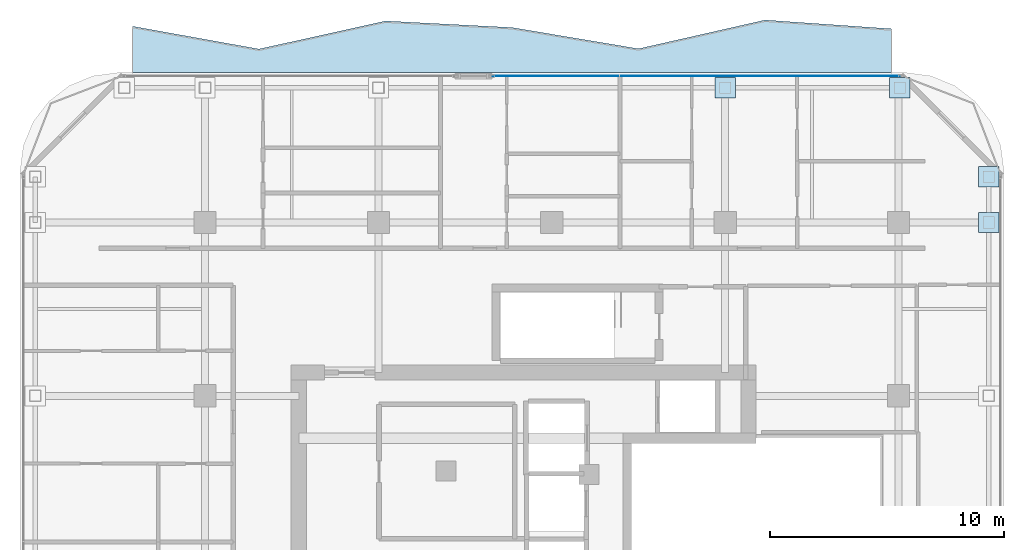
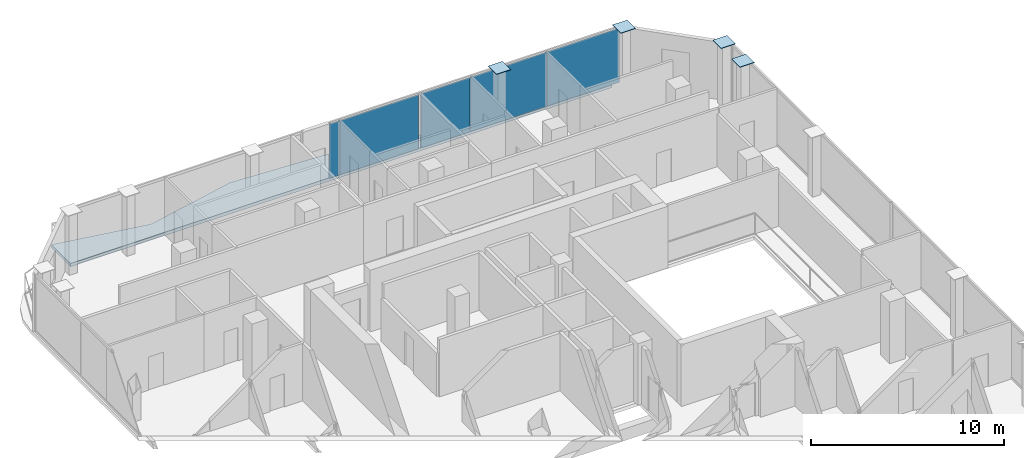
# One storey, part 16 of 22: 9 plates, 1 slab, 1 element without a shape of its own.
"""IFC4 building model written with IfcOpenShell, lengths in metres."""

import ifcopenshell
import ifcopenshell.guid

model = None  # the IFC model being written
_history = None  # IfcOwnerHistory: only IFC2X3 demands one
_inside = {}  # id of a spatial element -> (the spatial element, [elements in it])
_under = {}  # id of a project, library or spatial element -> (it, [spatial elements below it])
_declared = {}  # id of a project -> (the project, [libraries it declares])
_typed = {}  # id of a type object -> (the type object, [elements of that type])
_made_of = {}  # id of a material, layer set ... -> (it, [elements and type objects made of it])


def new_model(schema):
    """Start an empty IFC model of exactly this schema.

    Asked for "IFC4X3", IfcOpenShell would pick the latest addendum, in which some entities
    have other attributes; the version numbers below select the first issue.
    IFC2X3 requires an IfcOwnerHistory on every rooted entity: one is made here for all.
    """
    global model, _history
    if schema == "IFC4X3":
        model = ifcopenshell.file(schema_version=(4, 3, 0, 0))
    else:
        model = ifcopenshell.file(schema=schema)
    _inside.clear()
    _under.clear()
    _declared.clear()
    _typed.clear()
    _made_of.clear()
    _history = None
    if model.schema == "IFC2X3":
        org = make("IfcOrganization", Name="unknown")
        user = make(
            "IfcPersonAndOrganization",
            ThePerson=make("IfcPerson", FamilyName="unknown"),
            TheOrganization=org,
        )
        app = make(
            "IfcApplication",
            ApplicationDeveloper=org,
            Version="unknown",
            ApplicationFullName="unknown",
            ApplicationIdentifier="unknown",
        )
        _history = make(
            "IfcOwnerHistory",
            OwningUser=user,
            OwningApplication=app,
            ChangeAction="ADDED",
            CreationDate=0,
        )
    return model


def make(cls, **values):
    """One entity of the class cls with the attributes given. An attribute that is None is left unset."""
    return model.create_entity(
        cls, **{name: value for name, value in values.items() if value is not None}
    )


def rooted(cls, **values):
    """An entity with a GlobalId (a new one), such as an element, a storey or a relation."""
    return make(cls, GlobalId=ifcopenshell.guid.new(), OwnerHistory=_history, **values)


def si_unit(unit_type, name, prefix=None):
    """IfcSIUnit, for example si_unit("LENGTHUNIT", "METRE", prefix="MILLI")."""
    return make("IfcSIUnit", UnitType=unit_type, Prefix=prefix, Name=name)


def assignment(units):
    """IfcUnitAssignment: the units of a project."""
    return None if units is None else make("IfcUnitAssignment", Units=units)


def point(xyz):
    """IfcCartesianPoint."""
    return None if xyz is None else make("IfcCartesianPoint", Coordinates=xyz)


def direction(xyz):
    """IfcDirection."""
    return None if xyz is None else make("IfcDirection", DirectionRatios=xyz)


def frame(location, z_axis=None, x_axis=None):
    """IfcAxis2Placement3D, a coordinate frame: its origin and axes. An axis left out is left unset."""
    return make(
        "IfcAxis2Placement3D",
        Location=point(location),
        Axis=direction(z_axis),
        RefDirection=direction(x_axis),
    )


def frame_2d(location, x_axis=None):
    """IfcAxis2Placement2D, a coordinate frame in the plane: its origin and x axis."""
    return make(
        "IfcAxis2Placement2D", Location=point(location), RefDirection=direction(x_axis)
    )


def origin():
    """The frame at (0, 0, 0) with its axes left unset."""
    return frame((0.0, 0.0, 0.0))


def origin_2d():
    """The frame at (0, 0) in the plane with its x axis left unset."""
    return frame_2d((0.0, 0.0))


def place(relative_to, where):
    """IfcLocalPlacement: puts the frame where relative to a parent placement (None: the world)."""
    return make(
        "IfcLocalPlacement", PlacementRelTo=relative_to, RelativePlacement=where
    )


def context(
    kind, dimensions, precision=None, world=None, true_north=None, identifier=None
):
    """IfcGeometricRepresentationContext, for example the 3D "Model" context."""
    return make(
        "IfcGeometricRepresentationContext",
        ContextIdentifier=identifier,
        ContextType=kind,
        CoordinateSpaceDimension=dimensions,
        Precision=precision,
        WorldCoordinateSystem=world,
        TrueNorth=true_north,
    )


def subcontext(parent, identifier, kind, view, scale=None):
    """IfcGeometricRepresentationSubContext, for example "Body" below "Model"."""
    return make(
        "IfcGeometricRepresentationSubContext",
        ContextIdentifier=identifier,
        ContextType=kind,
        ParentContext=parent,
        TargetScale=scale,
        TargetView=view,
    )


def project(units=None, contexts=None):
    """IfcProject with its units and contexts."""
    return rooted(
        "IfcProject",
        Name="project",
        RepresentationContexts=contexts,
        UnitsInContext=assignment(units),
    )


def spatial(cls, under=None, at=None, **own):
    """A site, building, storey or space (cls), placed at a placement, below another one or the project."""
    s = rooted(cls, ObjectPlacement=at, **own)
    if under is not None:
        _under.setdefault(under.id(), (under, []))[1].append(s)
    return s


def polyline(points):
    """IfcPolyline through the points."""
    return make("IfcPolyline", Points=[point(p) for p in points])


def profile(cls, at=None, kind="AREA", **sizes):
    """A parametric profile (cls). Its sizes go by their IFC names, for example OverallWidth=200.0."""
    return make(cls, ProfileType=kind, Position=at, **sizes)


def rectangle(**sizes):
    """IfcRectangleProfileDef."""
    return profile("IfcRectangleProfileDef", **sizes)


def outline(outer, holes=None, kind="AREA"):
    """IfcArbitraryClosedProfileDef: a profile drawn as a closed curve; with holes, ...WithVoids."""
    if holes is None:
        return make("IfcArbitraryClosedProfileDef", ProfileType=kind, OuterCurve=outer)
    return make(
        "IfcArbitraryProfileDefWithVoids",
        ProfileType=kind,
        OuterCurve=outer,
        InnerCurves=holes,
    )


def extrude(swept, where, along, depth):
    """IfcExtrudedAreaSolid: the profile swept, set in the frame where, extruded along a direction by depth."""
    return make(
        "IfcExtrudedAreaSolid",
        SweptArea=swept,
        Position=where,
        ExtrudedDirection=direction(along),
        Depth=depth,
    )


def shape(context_of_items, identifier, shape_type, items):
    """IfcShapeRepresentation: the items that make up one representation, for example the "Body"."""
    return make(
        "IfcShapeRepresentation",
        ContextOfItems=context_of_items,
        RepresentationIdentifier=identifier,
        RepresentationType=shape_type,
        Items=items,
    )


def material(Name=None, Category=None):
    """IfcMaterial."""
    return make("IfcMaterial", Name=Name, Category=Category)


def layer(
    of_material, thickness, ventilated=None, Name=None, Category=None, Priority=None
):
    """IfcMaterialLayer: one layer of a wall or slab, of a material (None: an air gap)."""
    return make(
        "IfcMaterialLayer",
        Material=of_material,
        LayerThickness=thickness,
        IsVentilated=ventilated,
        Name=Name,
        Category=Category,
        Priority=Priority,
    )


def layer_set(layers, Name=None):
    """IfcMaterialLayerSet."""
    return make("IfcMaterialLayerSet", MaterialLayers=layers, LayerSetName=Name)


def made_of(thing, what):
    """Note that an element or type object is made of a material, layer set ...; save() writes the relation."""
    if what is not None:
        _made_of.setdefault(what.id(), (what, []))[1].append(thing)
    return thing


def type_object(cls, material=None, **own):
    """A type object (cls), such as IfcWallType, which elements share."""
    return made_of(rooted(cls, **own), material)


def element(
    cls,
    number,
    at=None,
    inside=None,
    cuts=None,
    type_object=None,
    material=None,
    context=None,
    identifier="Body",
    shape_type=None,
    held_by="IfcProductDefinitionShape",
    body=None,
    shapes=None,
    **own,
):
    """One element of the class cls, such as IfcWall. Its Tag is "e" and its number.

    at: its placement. inside: the storey or other place that contains it. cuts: it is an
    opening in that element (IfcRelVoidsElement). A single representation is given by context,
    identifier, shape_type and body (its items); several are given by shapes. held_by: the class
    of the entity that holds the representations. save() writes the other relations.
    """
    e = rooted(cls, Tag="e%d" % number, ObjectPlacement=at, **own)
    if body is not None:
        shapes = [shape(context, identifier, shape_type, body)]
    if shapes is not None:
        e.Representation = make(held_by, Representations=shapes)
    if inside is not None:
        _inside.setdefault(inside.id(), (inside, []))[1].append(e)
    if cuts is not None:
        rooted(
            "IfcRelVoidsElement", RelatingBuildingElement=cuts, RelatedOpeningElement=e
        )
    if type_object is not None:
        _typed.setdefault(type_object.id(), (type_object, []))[1].append(e)
    return made_of(e, material)


def aggregate(whole, parts):
    """IfcRelAggregates: a whole, such as a stair, and the parts it consists of."""
    return rooted("IfcRelAggregates", RelatingObject=whole, RelatedObjects=parts)


def save(model, path):
    """Write the relations noted so far, then the file.

    IfcRelAggregates (storeys below a building ...), IfcRelContainedInSpatialStructure (elements
    in a storey), IfcRelDefinesByType, IfcRelAssociatesMaterial and IfcRelDeclares: one each for
    every whole, place, type object, material and project.
    """
    for whole, parts in _under.values():
        aggregate(whole, parts)
    for where, things in _inside.values():
        rooted(
            "IfcRelContainedInSpatialStructure",
            RelatedElements=things,
            RelatingStructure=where,
        )
    for kind, things in _typed.values():
        rooted("IfcRelDefinesByType", RelatedObjects=things, RelatingType=kind)
    for what, things in _made_of.values():
        rooted("IfcRelAssociatesMaterial", RelatedObjects=things, RelatingMaterial=what)
    for by, libraries in _declared.values():
        rooted("IfcRelDeclares", RelatingContext=by, RelatedDefinitions=libraries)
    model.write(path)


model = new_model("IFC4")

# Units and contexts
model_context = context("Model", 3, precision=1e-05, world=origin(), true_north=direction((0.0, 1.0)))
body_context = subcontext(model_context, "Body", "Model", "MODEL_VIEW")
ifc_project = project(units=[si_unit("LENGTHUNIT", "METRE"), si_unit("AREAUNIT", "SQUARE_METRE"), si_unit("VOLUMEUNIT", "CUBIC_METRE"), si_unit("PLANEANGLEUNIT", "RADIAN"), si_unit("MASSUNIT", "GRAM", prefix="KILO")], contexts=[model_context])

# Site, building, storey
site_placement = place(None, origin())
site = spatial("IfcSite", under=ifc_project, at=site_placement, CompositionType="ELEMENT")
building_placement = place(site_placement, origin())
building = spatial("IfcBuilding", under=site, at=building_placement, Name="Khorvyn Point Tower", CompositionType="ELEMENT")
storey_placement = place(building_placement, frame((0.0, 0.0, 309.300048828125)))
storey = spatial("IfcBuildingStorey", under=building, at=storey_placement, Name="L76", CompositionType="ELEMENT", Elevation=309.300048828125)

# Slab
ifc_material_1 = material(Name="Concrete C40/50", Category="concrete")
ifc_layer_1 = layer(ifc_material_1, 0.2099609375)
ifc_layer_set_1 = layer_set([ifc_layer_1], Name="Concrete C40/50 Rippling Balcony Slab 210")
slab_type = type_object("IfcSlabType", Name="Concrete C40/50 Rippling Balcony Slab 210", PredefinedType="USERDEFINED", material=ifc_layer_set_1)
slab_placement = place(storey_placement, frame((0.0, 0.0, -0.2099609375)))
element("IfcSlab", 1, at=slab_placement, inside=storey, type_object=slab_type, Name="L76 North Sinusoidal Rippling Balcony", ObjectType="BALCONY", PredefinedType="USERDEFINED", context=body_context, shape_type="SweptSolid", body=[
    extrude(outline(polyline([(14.5, 21.199951171875), (14.5, 23.068115234375), (9.10009765625, 23.443359375), (3.699951171875, 22.21728515625), (-1.699951171875, 23.123291015625), (-7.10009765625, 23.402587890625), (-12.5, 22.20458984375), (-17.89990234375, 23.17724609375), (-17.89990234375, 21.199951171875), (14.5, 21.199951171875)])), origin(), (0.0, 0.0, 1.0), 0.2099609375),
])

# Plates
ifc_material_2 = material(Name="Steel S450", Category="steel")
ifc_layer_2 = layer(ifc_material_2, 0.031982421875)
ifc_layer_set_2 = layer_set([ifc_layer_2], Name="Steel S450 Exoskeleton End Cap Plate 32")
plate_type_1 = type_object("IfcPlateType", Name="Steel S450 Exoskeleton End Cap Plate 32", PredefinedType="USERDEFINED", material=ifc_layer_set_2)
for number, where, z_axis, x_axis, name in (
    (2, (14.85009765625, 20.550048828125, 3.89404296875), (0.0, 0.0, 1.0), (1.0, 0.0, 0.0), "Plate"),
    (3, (18.64990234375, 16.75, 3.89404296875), (0.0, 0.0, 1.0), (1.0, 0.0, 0.0), "Plate"),
    (4, (7.39990234375, 20.550048828125, 3.89404296875), (0.0, 0.0, 1.0), (1.0, 0.0, 0.0), "Plate"),
    (5, (18.64990234375, 14.800048828125, 3.89404296875), (0.0, 0.0, 1.0), (1.0, 0.0, 0.0), "Plate"),
):
    element("IfcPlate", number, at=place(storey_placement, frame(where, z_axis=z_axis, x_axis=x_axis)), inside=storey, type_object=plate_type_1, Name=name, ObjectType="GUSSET", PredefinedType="USERDEFINED", context=body_context, shape_type="SweptSolid", body=[
        extrude(rectangle(XDim=0.860107421875, YDim=0.860107421875, at=origin_2d()), origin(), (0.0, 0.0, 1.0), 0.031982421875),
    ])

# Curtain wall, plates
ifc_material_3 = material(Name="Anodised aluminium 6063-T6 and laminated Low-E glass", Category="aluminium")
ifc_layer_3 = layer(ifc_material_3, 0.18994140625)
ifc_layer_set_3 = layer_set([ifc_layer_3], Name="Stick-Built High-Wind Curtain Wall CW-SYS-04")
curtain_wall_type = type_object("IfcCurtainWallType", Name="Stick-Built High-Wind Curtain Wall CW-SYS-04", PredefinedType="NOTDEFINED", material=ifc_layer_set_3)
curtain_wall_placement = place(storey_placement, origin())
curtain_wall = element("IfcCurtainWall", 6, at=curtain_wall_placement, inside=storey, type_object=curtain_wall_type, Name="Curtain Wall", PredefinedType="NOTDEFINED")
ifc_material_4 = material(Name="Laminated Low-E insulated glass", Category="glass")
ifc_layer_4 = layer(ifc_material_4, 0.028076171875)
ifc_layer_set_4 = layer_set([ifc_layer_4], Name="Tempered Low-E Vision Glazing Panel CW-GL28")
plate_type_2 = type_object("IfcPlateType", Name="Tempered Low-E Vision Glazing Panel CW-GL28", PredefinedType="CURTAIN_PANEL", material=ifc_layer_set_4)
plate_1_placement = place(storey_placement, frame((-2.193115234375, 21.050048828125, 0.10009765625), z_axis=(0.0, 0.0, 1.0), x_axis=(1.0, 0.0, 0.0)))
plate_1 = element("IfcPlate", 7, at=plate_1_placement, type_object=plate_type_2, Name="Panel", PredefinedType="CURTAIN_PANEL", context=body_context, shape_type="SweptSolid", body=[
    extrude(rectangle(XDim=0.64599609375, YDim=0.028076171875, at=origin_2d()), origin(), (0.0, 0.0, 1.0), 3.43994140625),
])
plate_2_placement = place(storey_placement, frame((0.489501953125, 21.050048828125, 0.10009765625), z_axis=(0.0, 0.0, 1.0), x_axis=(1.0, 0.0, 0.0)))
plate_2 = element("IfcPlate", 8, at=plate_2_placement, type_object=plate_type_2, Name="Panel", PredefinedType="CURTAIN_PANEL", context=body_context, shape_type="SweptSolid", body=[
    extrude(rectangle(XDim=4.702880859375, YDim=0.028076171875, at=origin_2d()), origin(), (0.0, 0.0, 1.0), 3.43994140625),
])
plate_3_placement = place(storey_placement, frame((4.439453125, 21.050048828125, 0.10009765625), z_axis=(0.0, 0.0, 1.0), x_axis=(1.0, 0.0, 0.0)))
plate_3 = element("IfcPlate", 9, at=plate_3_placement, type_object=plate_type_2, Name="Panel", PredefinedType="CURTAIN_PANEL", context=body_context, shape_type="SweptSolid", body=[
    extrude(rectangle(XDim=2.94091796875, YDim=0.028076171875, at=origin_2d()), origin(), (0.0, 0.0, 1.0), 3.43994140625),
])
plate_4_placement = place(storey_placement, frame((8.221923828125, 21.050048828125, 0.10009765625), z_axis=(0.0, 0.0, 1.0), x_axis=(1.0, 0.0, 0.0)))
plate_4 = element("IfcPlate", 10, at=plate_4_placement, type_object=plate_type_2, Name="Panel", PredefinedType="CURTAIN_PANEL", context=body_context, shape_type="SweptSolid", body=[
    extrude(rectangle(XDim=4.60791015625, YDim=0.028076171875, at=origin_2d()), origin(), (0.0, 0.0, 1.0), 3.43994140625),
])
plate_5_placement = place(storey_placement, frame((12.68994140625, 21.050048828125, 0.10009765625), z_axis=(0.0, 0.0, 1.0), x_axis=(1.0, 0.0, 0.0)))
plate_5 = element("IfcPlate", 11, at=plate_5_placement, type_object=plate_type_2, Name="Panel", PredefinedType="CURTAIN_PANEL", context=body_context, shape_type="SweptSolid", body=[
    extrude(rectangle(XDim=4.31201171875, YDim=0.028076171875, at=origin_2d()), origin(), (0.0, 0.0, 1.0), 3.43994140625),
])
aggregate(curtain_wall, [plate_1, plate_2, plate_3, plate_4, plate_5])

save(model, "model.ifc")
